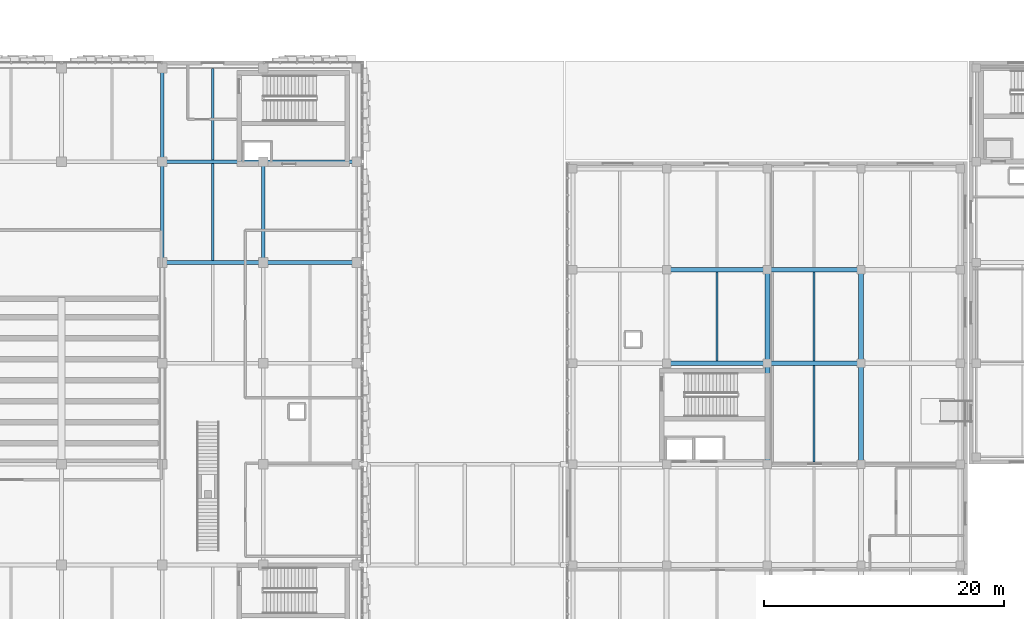
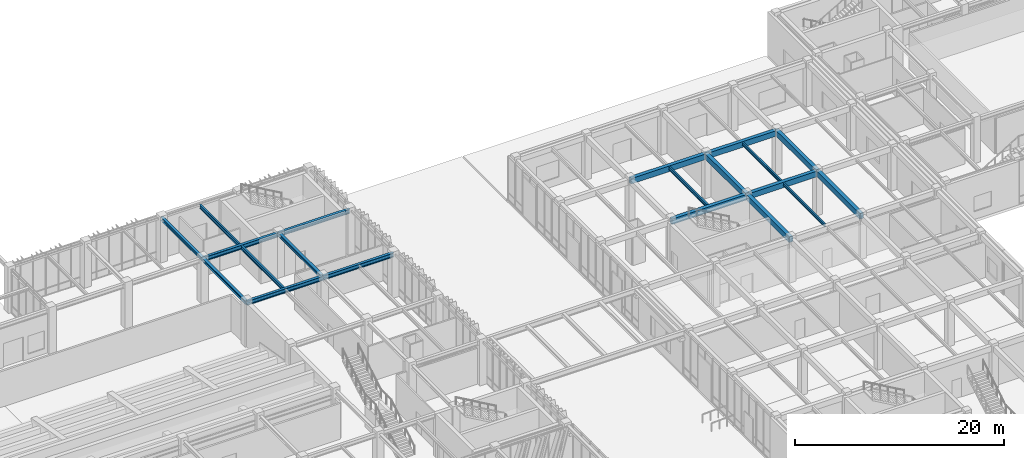
# One storey, part 61 of 122: 20 beams.
"""IFC4 building model written with IfcOpenShell, lengths in metres."""

from ifc_helpers import new_model, si_unit, direction, frame, origin, origin_2d, place, context, subcontext, project, spatial, rectangle, i_section, extrude, material, material_profile, profile_set, type_object, element, save


model = new_model("IFC4")

# Units and contexts
model_context = context("Model", 3, precision=1e-05, world=origin(), true_north=direction((0.0, 1.0)))
body_context = subcontext(model_context, "Body", "Model", "MODEL_VIEW")
ifc_project = project(units=[si_unit("LENGTHUNIT", "METRE"), si_unit("AREAUNIT", "SQUARE_METRE"), si_unit("VOLUMEUNIT", "CUBIC_METRE"), si_unit("PLANEANGLEUNIT", "RADIAN"), si_unit("MASSUNIT", "GRAM", prefix="KILO")], contexts=[model_context])

# Site, building, storey
site_placement = place(None, origin())
site = spatial("IfcSite", under=ifc_project, at=site_placement, CompositionType="ELEMENT")
building_placement = place(site_placement, origin())
building = spatial("IfcBuilding", under=site, at=building_placement, Name="Zayran Congress Hotel", CompositionType="ELEMENT")
storey_placement = place(building_placement, origin())
storey = spatial("IfcBuildingStorey", under=building, at=storey_placement, Name="L00", CompositionType="ELEMENT", Elevation=0.0)

# Beams
ifc_material_1 = material(Name="Concrete C40/50", Category="concrete")
ifc_material_profile_1 = material_profile(ifc_material_1, rectangle(XDim=0.39990234375, YDim=0.64990234375, at=origin_2d()), Name="RC 400x650")
ifc_profile_set_1 = profile_set([ifc_material_profile_1], Name="Concrete C40/50")
beam_type_1 = type_object("IfcBeamType", Name="TP-BM-03", PredefinedType="BEAM", material=ifc_profile_set_1)
beam_1_placement = place(storey_placement, frame((117.60009765625, 92.800048828125, 4.77490234375), z_axis=(1.0, 0.0, 0.0), x_axis=(0.0, 1.0, 0.0)))
element("IfcBeam", 1, at=beam_1_placement, inside=storey, type_object=beam_type_1, Name="BM-V4-L00-1231", PredefinedType="BEAM", context=body_context, shape_type="SweptSolid", body=[
    extrude(rectangle(XDim=0.39990234375, YDim=0.64990234375, at=origin_2d()), origin(), (0.0, 0.0, 1.0), 8.39990234375),
])
beam_2_placement = place(storey_placement, frame((126.0, 92.800048828125, 4.77490234375), z_axis=(1.0, 0.0, 0.0), x_axis=(0.0, 1.0, 0.0)))
element("IfcBeam", 2, at=beam_2_placement, inside=storey, type_object=beam_type_1, Name="BM-V4-L00-1232", PredefinedType="BEAM", context=body_context, shape_type="SweptSolid", body=[
    extrude(rectangle(XDim=0.39990234375, YDim=0.64990234375, at=origin_2d()), origin(), (0.0, 0.0, 1.0), 7.800048828125),
])
beam_3_placement = place(storey_placement, frame((117.60009765625, 100.60009765625, 4.77490234375), z_axis=(1.0, 0.0, 0.0), x_axis=(0.0, 1.0, 0.0)))
element("IfcBeam", 3, at=beam_3_placement, inside=storey, type_object=beam_type_1, Name="BM-V4-L00-1235", PredefinedType="BEAM", context=body_context, shape_type="SweptSolid", body=[
    extrude(rectangle(XDim=0.39990234375, YDim=0.64990234375, at=origin_2d()), origin(), (0.0, 0.0, 1.0), 8.39990234375),
])
beam_4_placement = place(storey_placement, frame((126.0, 100.60009765625, 4.77490234375), z_axis=(1.0, 0.0, 0.0), x_axis=(0.0, 1.0, 0.0)))
element("IfcBeam", 4, at=beam_4_placement, inside=storey, type_object=beam_type_1, Name="BM-V4-L00-1236", PredefinedType="BEAM", context=body_context, shape_type="SweptSolid", body=[
    extrude(rectangle(XDim=0.39990234375, YDim=0.64990234375, at=origin_2d()), origin(), (0.0, 0.0, 1.0), 7.800048828125),
])
beam_5_placement = place(storey_placement, frame((126.0, 84.39990234375, 4.77490234375), z_axis=(0.0, 1.0, 0.0), x_axis=(-1.0, 0.0, 0.0)))
element("IfcBeam", 5, at=beam_5_placement, inside=storey, type_object=beam_type_1, Name="BM-V4-L00-1261", PredefinedType="BEAM", context=body_context, shape_type="SweptSolid", body=[
    extrude(rectangle(XDim=0.39990234375, YDim=0.64990234375, at=origin_2d()), origin(), (0.0, 0.0, 1.0), 8.400146484375),
])
beam_6_placement = place(storey_placement, frame((126.0, 92.800048828125, 4.77490234375), z_axis=(0.0, 1.0, 0.0), x_axis=(-1.0, 0.0, 0.0)))
element("IfcBeam", 6, at=beam_6_placement, inside=storey, type_object=beam_type_1, Name="BM-V4-L00-1262", PredefinedType="BEAM", context=body_context, shape_type="SweptSolid", body=[
    extrude(rectangle(XDim=0.39990234375, YDim=0.64990234375, at=origin_2d()), origin(), (0.0, 0.0, 1.0), 7.800048828125),
])
beam_7_placement = place(storey_placement, frame((133.800048828125, 84.39990234375, 4.77490234375), z_axis=(0.0, 1.0, 0.0), x_axis=(-1.0, 0.0, 0.0)))
element("IfcBeam", 7, at=beam_7_placement, inside=storey, type_object=beam_type_1, Name="BM-V4-L00-1269", PredefinedType="BEAM", context=body_context, shape_type="SweptSolid", body=[
    extrude(rectangle(XDim=0.39990234375, YDim=0.64990234375, at=origin_2d()), origin(), (0.0, 0.0, 1.0), 8.400146484375),
])
beam_8_placement = place(storey_placement, frame((133.800048828125, 92.800048828125, 4.77490234375), z_axis=(0.0, 1.0, 0.0), x_axis=(-1.0, 0.0, 0.0)))
element("IfcBeam", 8, at=beam_8_placement, inside=storey, type_object=beam_type_1, Name="BM-V4-L00-1270", PredefinedType="BEAM", context=body_context, shape_type="SweptSolid", body=[
    extrude(rectangle(XDim=0.39990234375, YDim=0.64990234375, at=origin_2d()), origin(), (0.0, 0.0, 1.0), 7.800048828125),
])
ifc_material_2 = material(Name="Steel S355", Category="steel")
ifc_material_profile_2 = material_profile(ifc_material_2, i_section(OverallWidth=0.300048828125, OverallDepth=0.489990234375, WebThickness=0.011962890625, FlangeThickness=0.02294921875, at=origin_2d()), Name="HEA 500")
ifc_profile_set_2 = profile_set([ifc_material_profile_2], Name="Steel S355")
beam_type_2 = type_object("IfcBeamType", Name="TP-BM-05", PredefinedType="BEAM", material=ifc_profile_set_2)
beam_9_placement = place(storey_placement, frame((75.60009765625, 101.199951171875, 4.8349609375), z_axis=(1.0, 0.0, 0.0), x_axis=(0.0, 1.0, 0.0)))
element("IfcBeam", 9, at=beam_9_placement, inside=storey, type_object=beam_type_2, Name="BM-V1-L00-0423", PredefinedType="BEAM", context=body_context, shape_type="SweptSolid", body=[
    extrude(i_section(OverallWidth=0.300048828125, OverallDepth=0.489990234375, WebThickness=0.011962890625, FlangeThickness=0.02294921875, at=origin_2d()), origin(), (0.0, 0.0, 1.0), 8.39990234375),
])
beam_10_placement = place(storey_placement, frame((84.0, 101.199951171875, 4.8349609375), z_axis=(1.0, 0.0, 0.0), x_axis=(0.0, 1.0, 0.0)))
element("IfcBeam", 10, at=beam_10_placement, inside=storey, type_object=beam_type_2, Name="BM-V1-L00-0424", PredefinedType="BEAM", context=body_context, shape_type="SweptSolid", body=[
    extrude(i_section(OverallWidth=0.300048828125, OverallDepth=0.489990234375, WebThickness=0.011962890625, FlangeThickness=0.02294921875, at=origin_2d()), origin(), (0.0, 0.0, 1.0), 7.800048828125),
])
beam_11_placement = place(storey_placement, frame((75.60009765625, 109.60009765625, 4.8349609375), z_axis=(1.0, 0.0, 0.0), x_axis=(0.0, 1.0, 0.0)))
element("IfcBeam", 11, at=beam_11_placement, inside=storey, type_object=beam_type_2, Name="BM-V1-L00-0433", PredefinedType="BEAM", context=body_context, shape_type="SweptSolid", body=[
    extrude(i_section(OverallWidth=0.300048828125, OverallDepth=0.489990234375, WebThickness=0.011962890625, FlangeThickness=0.02294921875, at=origin_2d()), origin(), (0.0, 0.0, 1.0), 8.39990234375),
])
beam_12_placement = place(storey_placement, frame((84.0, 109.60009765625, 4.8349609375), z_axis=(1.0, 0.0, 0.0), x_axis=(0.0, 1.0, 0.0)))
element("IfcBeam", 12, at=beam_12_placement, inside=storey, type_object=beam_type_2, Name="BM-V1-L00-0434", PredefinedType="BEAM", context=body_context, shape_type="SweptSolid", body=[
    extrude(i_section(OverallWidth=0.300048828125, OverallDepth=0.489990234375, WebThickness=0.011962890625, FlangeThickness=0.02294921875, at=origin_2d()), origin(), (0.0, 0.0, 1.0), 7.800048828125),
])
ifc_material_profile_3 = material_profile(ifc_material_2, i_section(OverallWidth=0.300048828125, OverallDepth=0.389892578125, WebThickness=0.010986328125, FlangeThickness=0.01904296875, at=origin_2d()), Name="HEA 400")
ifc_profile_set_3 = profile_set([ifc_material_profile_3], Name="Steel S355")
beam_type_3 = type_object("IfcBeamType", Name="TP-BM-06", PredefinedType="BEAM", material=ifc_profile_set_3)
beam_13_placement = place(storey_placement, frame((75.60009765625, 101.199951171875, 4.885009765625), z_axis=(0.0, 1.0, 0.0), x_axis=(-1.0, 0.0, 0.0)))
element("IfcBeam", 13, at=beam_13_placement, inside=storey, type_object=beam_type_3, Name="BM-V1-L00-0479", PredefinedType="BEAM", context=body_context, shape_type="SweptSolid", body=[
    extrude(i_section(OverallWidth=0.300048828125, OverallDepth=0.389892578125, WebThickness=0.010986328125, FlangeThickness=0.01904296875, at=origin_2d()), origin(), (0.0, 0.0, 1.0), 8.400146484375),
])
beam_14_placement = place(storey_placement, frame((75.60009765625, 109.60009765625, 4.885009765625), z_axis=(0.0, 1.0, 0.0), x_axis=(-1.0, 0.0, 0.0)))
element("IfcBeam", 14, at=beam_14_placement, inside=storey, type_object=beam_type_3, Name="BM-V1-L00-0480", PredefinedType="BEAM", context=body_context, shape_type="SweptSolid", body=[
    extrude(i_section(OverallWidth=0.300048828125, OverallDepth=0.389892578125, WebThickness=0.010986328125, FlangeThickness=0.01904296875, at=origin_2d()), origin(), (0.0, 0.0, 1.0), 7.7998046875),
])
beam_15_placement = place(storey_placement, frame((84.0, 101.199951171875, 4.885009765625), z_axis=(0.0, 1.0, 0.0), x_axis=(-1.0, 0.0, 0.0)))
element("IfcBeam", 15, at=beam_15_placement, inside=storey, type_object=beam_type_3, Name="BM-V1-L00-0484", PredefinedType="BEAM", context=body_context, shape_type="SweptSolid", body=[
    extrude(i_section(OverallWidth=0.300048828125, OverallDepth=0.389892578125, WebThickness=0.010986328125, FlangeThickness=0.01904296875, at=origin_2d()), origin(), (0.0, 0.0, 1.0), 8.400146484375),
])
ifc_material_profile_4 = material_profile(ifc_material_2, i_section(OverallWidth=0.18994140625, OverallDepth=0.449951171875, WebThickness=0.009521484375, FlangeThickness=0.0146484375, at=origin_2d()), Name="IPE 450")
ifc_profile_set_4 = profile_set([ifc_material_profile_4], Name="Steel S355")
beam_type_4 = type_object("IfcBeamType", Name="TP-JS-02", PredefinedType="JOIST", material=ifc_profile_set_4)
beam_16_placement = place(storey_placement, frame((79.800048828125, 101.35009765625, 4.85498046875), z_axis=(0.0, 1.0, 0.0), x_axis=(-1.0, 0.0, 0.0)))
element("IfcBeam", 16, at=beam_16_placement, inside=storey, type_object=beam_type_4, Name="JST-V1-L00-0509", PredefinedType="JOIST", context=body_context, shape_type="SweptSolid", body=[
    extrude(i_section(OverallWidth=0.18994140625, OverallDepth=0.449951171875, WebThickness=0.009521484375, FlangeThickness=0.0146484375, at=origin_2d()), origin(), (0.0, 0.0, 1.0), 8.099853515625),
])
beam_17_placement = place(storey_placement, frame((79.800048828125, 109.75, 4.85498046875), z_axis=(0.0, 1.0, 0.0), x_axis=(-1.0, 0.0, 0.0)))
element("IfcBeam", 17, at=beam_17_placement, inside=storey, type_object=beam_type_4, Name="JST-V1-L00-0510", PredefinedType="JOIST", context=body_context, shape_type="SweptSolid", body=[
    extrude(i_section(OverallWidth=0.18994140625, OverallDepth=0.449951171875, WebThickness=0.009521484375, FlangeThickness=0.0146484375, at=origin_2d()), origin(), (0.0, 0.0, 1.0), 7.590087890625),
])
ifc_material_profile_5 = material_profile(ifc_material_2, i_section(OverallWidth=0.179931640625, OverallDepth=0.39990234375, WebThickness=0.008544921875, FlangeThickness=0.013427734375, at=origin_2d()), Name="IPE 400")
ifc_profile_set_5 = profile_set([ifc_material_profile_5], Name="Steel S355")
beam_type_5 = type_object("IfcBeamType", Name="TP-JS-03", PredefinedType="JOIST", material=ifc_profile_set_5)
beam_18_placement = place(storey_placement, frame((121.800048828125, 93.0, 4.89990234375), z_axis=(0.0, 1.0, 0.0), x_axis=(-1.0, 0.0, 0.0)))
element("IfcBeam", 18, at=beam_18_placement, inside=storey, type_object=beam_type_5, Name="JST-V4-L00-1292", PredefinedType="JOIST", context=body_context, shape_type="SweptSolid", body=[
    extrude(i_section(OverallWidth=0.179931640625, OverallDepth=0.39990234375, WebThickness=0.008544921875, FlangeThickness=0.013427734375, at=origin_2d()), origin(), (0.0, 0.0, 1.0), 7.39990234375),
])
ifc_material_profile_6 = material_profile(ifc_material_2, i_section(OverallWidth=0.169921875, OverallDepth=0.360107421875, WebThickness=0.008056640625, FlangeThickness=0.0126953125, at=origin_2d()), Name="IPE 360")
ifc_profile_set_6 = profile_set([ifc_material_profile_6], Name="Steel S355")
beam_type_6 = type_object("IfcBeamType", Name="TP-JS-04", PredefinedType="JOIST", material=ifc_profile_set_6)
beam_19_placement = place(storey_placement, frame((129.89990234375, 84.60009765625, 4.919921875), z_axis=(0.0, 1.0, 0.0), x_axis=(-1.0, 0.0, 0.0)))
element("IfcBeam", 19, at=beam_19_placement, inside=storey, type_object=beam_type_6, Name="JST-V4-L00-1297", PredefinedType="JOIST", context=body_context, shape_type="SweptSolid", body=[
    extrude(i_section(OverallWidth=0.169921875, OverallDepth=0.360107421875, WebThickness=0.008056640625, FlangeThickness=0.0126953125, at=origin_2d()), origin(), (0.0, 0.0, 1.0), 8.0),
])
beam_20_placement = place(storey_placement, frame((129.89990234375, 93.0, 4.919921875), z_axis=(0.0, 1.0, 0.0), x_axis=(-1.0, 0.0, 0.0)))
element("IfcBeam", 20, at=beam_20_placement, inside=storey, type_object=beam_type_6, Name="JST-V4-L00-1298", PredefinedType="JOIST", context=body_context, shape_type="SweptSolid", body=[
    extrude(i_section(OverallWidth=0.169921875, OverallDepth=0.360107421875, WebThickness=0.008056640625, FlangeThickness=0.0126953125, at=origin_2d()), origin(), (0.0, 0.0, 1.0), 7.39990234375),
])

save(model, "model.ifc")
